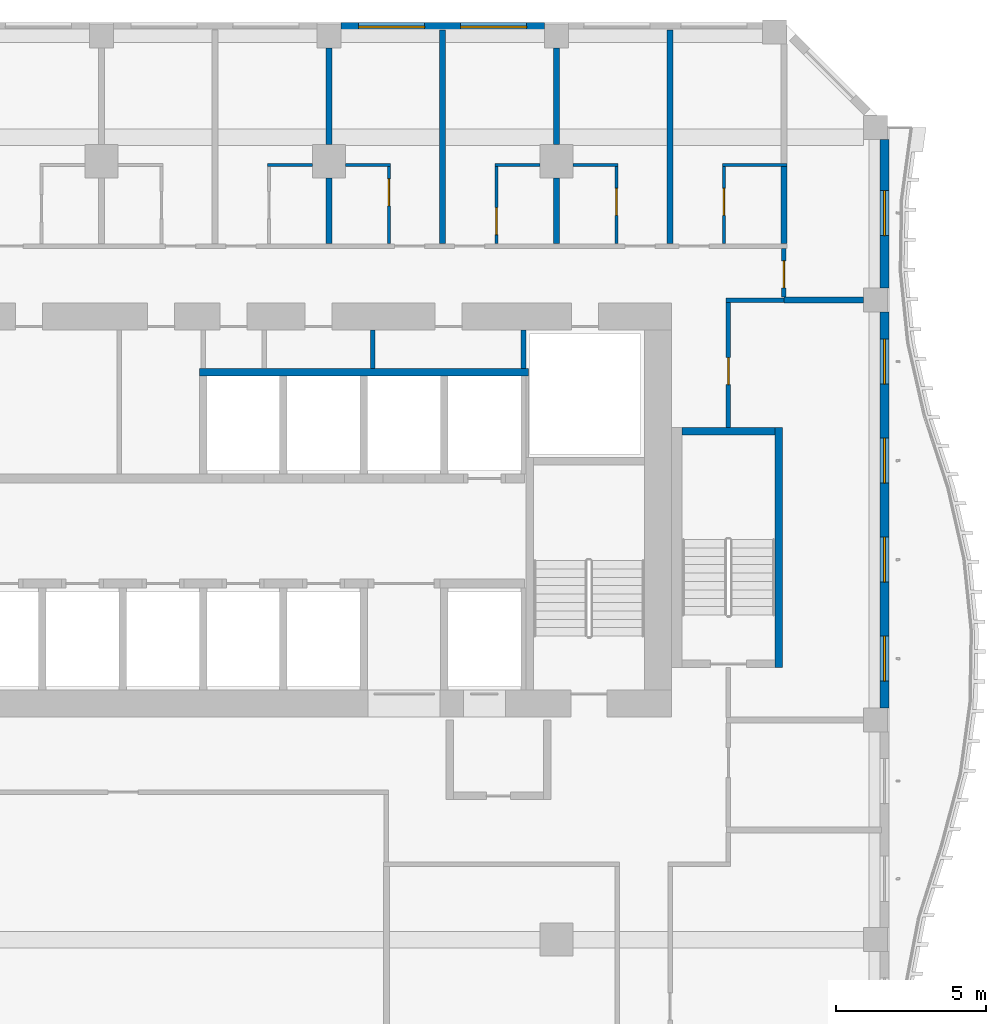
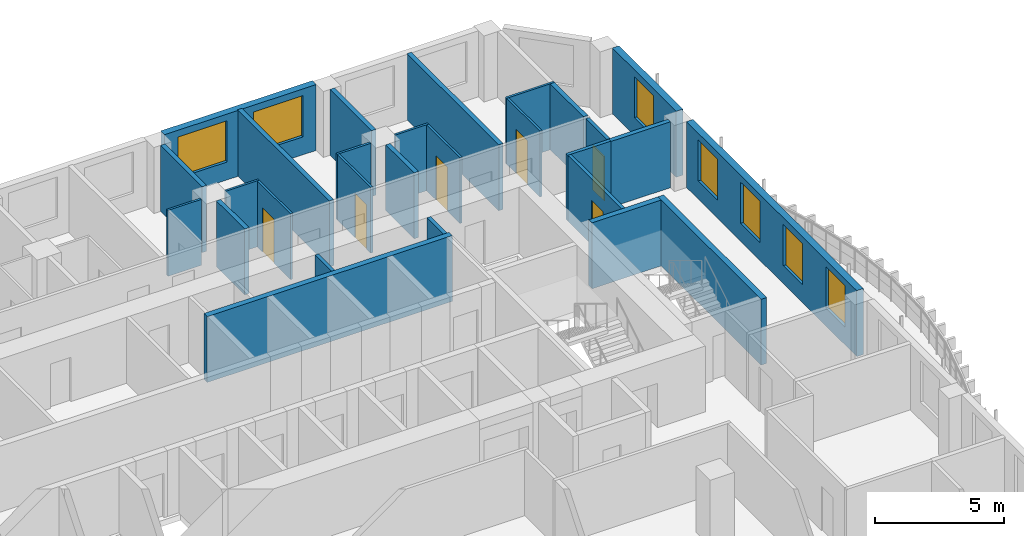
# One storey, part 10 of 23: 28 walls, 7 windows, 6 doors, 13 openings.
"""IFC4 building model written with IfcOpenShell, lengths in metres."""

from ifc_helpers import new_model, si_unit, direction, frame, frame_2d, origin, place, context, subcontext, project, spatial, rectangle, extrude, source, transform, mapped, material, layer, layer_set, type_object, element, fill, save


model = new_model("IFC4")

# Units and contexts
model_context = context("Model", 3, precision=1e-05, world=origin(), true_north=direction((0.0, 1.0)))
body_context = subcontext(model_context, "Body", "Model", "MODEL_VIEW")
ifc_project = project(units=[si_unit("LENGTHUNIT", "METRE"), si_unit("AREAUNIT", "SQUARE_METRE"), si_unit("VOLUMEUNIT", "CUBIC_METRE"), si_unit("PLANEANGLEUNIT", "RADIAN"), si_unit("MASSUNIT", "GRAM", prefix="KILO")], contexts=[model_context])

# Site, building, storey
site_placement = place(None, origin())
site = spatial("IfcSite", under=ifc_project, at=site_placement, CompositionType="ELEMENT")
building_placement = place(site_placement, origin())
building = spatial("IfcBuilding", under=site, at=building_placement, Name="Kilnfold Tower and Market Hall", CompositionType="ELEMENT")
storey_placement = place(building_placement, frame((0.0, 0.0, 150.699951171875)))
storey = spatial("IfcBuildingStorey", under=building, at=storey_placement, Name="L34", CompositionType="ELEMENT", Elevation=150.699951171875)

# Wall, opening, door
ifc_material_1 = material(Name="Gypsum board on steel studs", Category="steel")
ifc_layer_1 = layer(ifc_material_1, 0.14990234375)
ifc_layer_set_1 = layer_set([ifc_layer_1], Name="Gypsum board on steel studs")
wall_type_1 = type_object("IfcWallType", Name="WALL CORRIDOR 150", PredefinedType="PARTITIONING", material=ifc_layer_set_1)
wall_1_placement = place(storey_placement, frame((21.75, 22.10009765625, 0.0), z_axis=(0.0, 0.0, 1.0), x_axis=(0.0, 1.0, 0.0)))
wall_1 = element("IfcWall", 1, at=wall_1_placement, inside=storey, type_object=wall_type_1, Name="Partition LY22.26", PredefinedType="PARTITIONING", context=body_context, shape_type="SweptSolid", body=[
    extrude(rectangle(XDim=1.625, YDim=0.14990234375, at=frame_2d((0.8125, 0.0))), origin(), (0.0, 0.0, 1.0), 3.1201171875),
])
opening_1_placement = place(wall_1_placement, frame((0.30810546875, 0.0, 0.0)))
opening_1 = element("IfcOpeningElement", 2, at=opening_1_placement, cuts=wall_1, Name="Opening D2", PredefinedType="OPENING", context=body_context, shape_type="SweptSolid", body=[
    extrude(rectangle(XDim=0.89990234375, YDim=2.10009765625, at=frame_2d((0.449951171875, 1.050048828125))), frame((0.0, 0.0849609375, 0.0), z_axis=(0.0, -1.0, 0.0), x_axis=(1.0, 0.0, 0.0)), (0.0, 0.0, 1.0), 0.169921875),
])
ifc_material_2 = material(Name="Timber veneer door leaf in steel frame", Category="steel")
door_type_1 = type_object("IfcDoorType", Name="DOOR ROOM 900 X2100", OperationType="NOTDEFINED", PredefinedType="DOOR", material=ifc_material_2)
door_1_placement = place(opening_1_placement, origin())
door_1 = element("IfcDoor", 3, at=door_1_placement, inside=storey, type_object=door_type_1, Name="Door D2", OperationType="SINGLE_SWING_RIGHT", OverallHeight=2.10009765625, OverallWidth=0.89990234375, PredefinedType="DOOR", context=body_context, shape_type="SweptSolid", body=[
    extrude(rectangle(XDim=0.89990234375, YDim=2.10009765625, at=frame_2d((0.449951171875, 1.050048828125))), frame((0.0, 0.02490234375, 0.0), z_axis=(0.0, -1.0, 0.0), x_axis=(1.0, 0.0, 0.0)), (0.0, 0.0, 1.0), 0.050048828125),
])
fill(opening_1, door_1)

# Wall
wall_2_placement = place(storey_placement, frame((19.824951171875, 22.0, 0.0), z_axis=(0.0, 0.0, 1.0), x_axis=(1.0, 0.0, 0.0)))
element("IfcWall", 4, at=wall_2_placement, inside=storey, type_object=wall_type_1, Name="Partition LY22.28", PredefinedType="PARTITIONING", context=body_context, shape_type="SweptSolid", body=[
    extrude(rectangle(XDim=1.925048828125, YDim=0.14990234375, at=frame_2d((0.96240234375, 0.0))), origin(), (0.0, 0.0, 1.0), 3.1201171875),
])

# Wall, opening, door
wall_3_placement = place(storey_placement, frame((19.89990234375, 17.75, 0.0), z_axis=(0.0, 0.0, 1.0), x_axis=(0.0, 1.0, 0.0)))
wall_3 = element("IfcWall", 5, at=wall_3_placement, inside=storey, type_object=wall_type_1, Name="Partition LY22.29", PredefinedType="PARTITIONING", context=body_context, shape_type="SweptSolid", body=[
    extrude(rectangle(XDim=4.175048828125, YDim=0.14990234375, at=frame_2d((2.08740234375, 0.0))), origin(), (0.0, 0.0, 1.0), 3.1201171875),
])
opening_2_placement = place(wall_3_placement, frame((1.431884765625, 0.0, 0.0)))
opening_2 = element("IfcOpeningElement", 6, at=opening_2_placement, cuts=wall_3, Name="Opening D2", PredefinedType="OPENING", context=body_context, shape_type="SweptSolid", body=[
    extrude(rectangle(XDim=0.89990234375, YDim=2.10009765625, at=frame_2d((0.449951171875, 1.050048828125))), frame((0.0, 0.0849609375, 0.0), z_axis=(0.0, -1.0, 0.0), x_axis=(1.0, 0.0, 0.0)), (0.0, 0.0, 1.0), 0.169921875),
])
door_2_placement = place(opening_2_placement, origin())
door_2 = element("IfcDoor", 7, at=door_2_placement, inside=storey, type_object=door_type_1, Name="Door D2", OperationType="SINGLE_SWING_LEFT", OverallHeight=2.10009765625, OverallWidth=0.89990234375, PredefinedType="DOOR", context=body_context, shape_type="SweptSolid", body=[
    extrude(rectangle(XDim=0.89990234375, YDim=2.10009765625, at=frame_2d((0.449951171875, 1.050048828125))), frame((0.0, 0.02490234375, 0.0), z_axis=(0.0, -1.0, 0.0), x_axis=(1.0, 0.0, 0.0)), (0.0, 0.0, 1.0), 0.050048828125),
])
fill(opening_2, door_2)

# Walls
ifc_material_3 = material(Name="Gypsum board on steel studs", Category="steel")
ifc_layer_2 = layer(ifc_material_3, 0.10009765625)
ifc_layer_set_2 = layer_set([ifc_layer_2], Name="Gypsum board on steel studs")
wall_type_2 = type_object("IfcWallType", Name="WALL PARTITION 100", PredefinedType="PARTITIONING", material=ifc_layer_set_2)
for number, where, z_axis, x_axis, name in (
    (8, (4.532958984375, 26.501953125, 0.0), (0.0, 0.0, 1.0), (1.0, 0.0, 0.0), "Partition LY22.107"),
    (9, (7.133056640625, 26.501953125, 0.0), (0.0, 0.0, 1.0), (1.0, 0.0, 0.0), "Partition LY22.111"),
):
    element("IfcWall", number, at=place(storey_placement, frame(where, z_axis=z_axis, x_axis=x_axis)), inside=storey, type_object=wall_type_2, Name=name, PredefinedType="PARTITIONING", context=body_context, shape_type="SweptSolid", body=[
        extrude(rectangle(XDim=1.5, YDim=0.10009765625, at=frame_2d((0.75, 0.0))), origin(), (0.0, 0.0, 1.0), 3.1201171875),
    ])

# Wall, opening, door
wall_4_placement = place(storey_placement, frame((8.5830078125, 26.451904296875, 0.0), z_axis=(0.0, 0.0, 1.0), x_axis=(0.0, -1.0, 0.0)))
wall_4 = element("IfcWall", 10, at=wall_4_placement, inside=storey, type_object=wall_type_2, Name="Partition LY22.112", PredefinedType="PARTITIONING", context=body_context, shape_type="SweptSolid", body=[
    extrude(rectangle(XDim=2.574951171875, YDim=0.10009765625, at=frame_2d((1.28759765625, 0.0))), origin(), (0.0, 0.0, 1.0), 3.1201171875),
])
opening_3_placement = place(wall_4_placement, frame((0.4130859375, 0.0, 0.0)))
opening_3 = element("IfcOpeningElement", 11, at=opening_3_placement, cuts=wall_4, Name="Opening D3", PredefinedType="OPENING", context=body_context, shape_type="SweptSolid", body=[
    extrude(rectangle(XDim=0.89990234375, YDim=2.10009765625, at=frame_2d((0.449951171875, 1.050048828125))), frame((0.0, 0.06005859375, 0.0), z_axis=(0.0, -1.0, 0.0), x_axis=(1.0, 0.0, 0.0)), (0.0, 0.0, 1.0), 0.1201171875),
])
ifc_material_4 = material(Name="Timber veneer door leaf in steel frame", Category="steel")
door_type_2 = type_object("IfcDoorType", Name="DOOR WC 900 X2100", OperationType="NOTDEFINED", PredefinedType="DOOR", material=ifc_material_4)
door_3_placement = place(opening_3_placement, origin())
door_3 = element("IfcDoor", 12, at=door_3_placement, inside=storey, type_object=door_type_2, Name="Door D3", OperationType="SINGLE_SWING_LEFT", OverallHeight=2.10009765625, OverallWidth=0.89990234375, PredefinedType="DOOR", context=body_context, shape_type="SweptSolid", body=[
    extrude(rectangle(XDim=0.89990234375, YDim=2.10009765625, at=frame_2d((0.449951171875, 1.050048828125))), frame((0.0, 0.02490234375, 0.0), z_axis=(0.0, -1.0, 0.0), x_axis=(1.0, 0.0, 0.0)), (0.0, 0.0, 1.0), 0.050048828125),
])
fill(opening_3, door_3)

# Wall
wall_5_placement = place(storey_placement, frame((12.116943359375, 26.501953125, 0.0), z_axis=(0.0, 0.0, 1.0), x_axis=(1.0, 0.0, 0.0)))
element("IfcWall", 13, at=wall_5_placement, inside=storey, type_object=wall_type_2, Name="Partition LY22.114", PredefinedType="PARTITIONING", context=body_context, shape_type="SweptSolid", body=[
    extrude(rectangle(XDim=1.5, YDim=0.10009765625, at=frame_2d((0.75, 0.0))), origin(), (0.0, 0.0, 1.0), 3.1201171875),
])

# Wall, opening, door
wall_6_placement = place(storey_placement, frame((12.1669921875, 23.876953125, 0.0), z_axis=(0.0, 0.0, 1.0), x_axis=(0.0, 1.0, 0.0)))
wall_6 = element("IfcWall", 14, at=wall_6_placement, inside=storey, type_object=wall_type_2, Name="Partition LY22.115", PredefinedType="PARTITIONING", context=body_context, shape_type="SweptSolid", body=[
    extrude(rectangle(XDim=2.574951171875, YDim=0.10009765625, at=frame_2d((1.28759765625, 0.0))), origin(), (0.0, 0.0, 1.0), 3.1201171875),
])
opening_4_placement = place(wall_6_placement, frame((0.305908203125, 0.0, 0.0)))
opening_4 = element("IfcOpeningElement", 15, at=opening_4_placement, cuts=wall_6, Name="Opening D3", PredefinedType="OPENING", context=body_context, shape_type="SweptSolid", body=[
    extrude(rectangle(XDim=0.89990234375, YDim=2.10009765625, at=frame_2d((0.449951171875, 1.050048828125))), frame((0.0, 0.06005859375, 0.0), z_axis=(0.0, -1.0, 0.0), x_axis=(1.0, 0.0, 0.0)), (0.0, 0.0, 1.0), 0.1201171875),
])
door_4_placement = place(opening_4_placement, origin())
door_4 = element("IfcDoor", 16, at=door_4_placement, inside=storey, type_object=door_type_2, Name="Door D3", OperationType="SINGLE_SWING_RIGHT", OverallHeight=2.10009765625, OverallWidth=0.89990234375, PredefinedType="DOOR", context=body_context, shape_type="SweptSolid", body=[
    extrude(rectangle(XDim=0.89990234375, YDim=2.10009765625, at=frame_2d((0.449951171875, 1.050048828125))), frame((0.0, 0.02490234375, 0.0), z_axis=(0.0, -1.0, 0.0), x_axis=(1.0, 0.0, 0.0)), (0.0, 0.0, 1.0), 0.050048828125),
])
fill(opening_4, door_4)

# Wall
wall_7_placement = place(storey_placement, frame((14.717041015625, 26.501953125, 0.0), z_axis=(0.0, 0.0, 1.0), x_axis=(1.0, 0.0, 0.0)))
element("IfcWall", 17, at=wall_7_placement, inside=storey, type_object=wall_type_2, Name="Partition LY22.118", PredefinedType="PARTITIONING", context=body_context, shape_type="SweptSolid", body=[
    extrude(rectangle(XDim=1.5, YDim=0.10009765625, at=frame_2d((0.75, 0.0))), origin(), (0.0, 0.0, 1.0), 3.1201171875),
])

# Wall, opening, door
wall_8_placement = place(storey_placement, frame((16.1669921875, 26.451904296875, 0.0), z_axis=(0.0, 0.0, 1.0), x_axis=(0.0, -1.0, 0.0)))
wall_8 = element("IfcWall", 18, at=wall_8_placement, inside=storey, type_object=wall_type_2, Name="Partition LY22.119", PredefinedType="PARTITIONING", context=body_context, shape_type="SweptSolid", body=[
    extrude(rectangle(XDim=2.574951171875, YDim=0.10009765625, at=frame_2d((1.28759765625, 0.0))), origin(), (0.0, 0.0, 1.0), 3.1201171875),
])
opening_5_placement = place(wall_8_placement, frame((0.73095703125, 0.0, 0.0)))
opening_5 = element("IfcOpeningElement", 19, at=opening_5_placement, cuts=wall_8, Name="Opening D3", PredefinedType="OPENING", context=body_context, shape_type="SweptSolid", body=[
    extrude(rectangle(XDim=0.89990234375, YDim=2.10009765625, at=frame_2d((0.449951171875, 1.050048828125))), frame((0.0, 0.06005859375, 0.0), z_axis=(0.0, -1.0, 0.0), x_axis=(1.0, 0.0, 0.0)), (0.0, 0.0, 1.0), 0.1201171875),
])
door_5_placement = place(opening_5_placement, origin())
door_5 = element("IfcDoor", 20, at=door_5_placement, inside=storey, type_object=door_type_2, Name="Door D3", OperationType="SINGLE_SWING_RIGHT", OverallHeight=2.10009765625, OverallWidth=0.89990234375, PredefinedType="DOOR", context=body_context, shape_type="SweptSolid", body=[
    extrude(rectangle(XDim=0.89990234375, YDim=2.10009765625, at=frame_2d((0.449951171875, 1.050048828125))), frame((0.0, 0.02490234375, 0.0), z_axis=(0.0, -1.0, 0.0), x_axis=(1.0, 0.0, 0.0)), (0.0, 0.0, 1.0), 0.050048828125),
])
fill(opening_5, door_5)

# Wall
wall_9_placement = place(storey_placement, frame((19.699951171875, 26.501953125, 0.0), z_axis=(0.0, 0.0, 1.0), x_axis=(1.0, 0.0, 0.0)))
element("IfcWall", 21, at=wall_9_placement, inside=storey, type_object=wall_type_2, Name="Partition LY22.121", PredefinedType="PARTITIONING", context=body_context, shape_type="SweptSolid", body=[
    extrude(rectangle(XDim=2.150146484375, YDim=0.10009765625, at=frame_2d((1.0751953125, 0.0))), origin(), (0.0, 0.0, 1.0), 3.1201171875),
])

# Wall, opening, door
wall_10_placement = place(storey_placement, frame((19.75, 23.876953125, 0.0), z_axis=(0.0, 0.0, 1.0), x_axis=(0.0, 1.0, 0.0)))
wall_10 = element("IfcWall", 22, at=wall_10_placement, inside=storey, type_object=wall_type_2, Name="Partition LY22.122", PredefinedType="PARTITIONING", context=body_context, shape_type="SweptSolid", body=[
    extrude(rectangle(XDim=2.574951171875, YDim=0.10009765625, at=frame_2d((1.28759765625, 0.0))), origin(), (0.0, 0.0, 1.0), 3.1201171875),
])
opening_6_placement = place(wall_10_placement, frame((0.944091796875, 0.0, 0.0)))
opening_6 = element("IfcOpeningElement", 23, at=opening_6_placement, cuts=wall_10, Name="Opening D3", PredefinedType="OPENING", context=body_context, shape_type="SweptSolid", body=[
    extrude(rectangle(XDim=0.89990234375, YDim=2.10009765625, at=frame_2d((0.449951171875, 1.050048828125))), frame((0.0, 0.06005859375, 0.0), z_axis=(0.0, -1.0, 0.0), x_axis=(1.0, 0.0, 0.0)), (0.0, 0.0, 1.0), 0.1201171875),
])
door_6_placement = place(opening_6_placement, origin())
door_6 = element("IfcDoor", 24, at=door_6_placement, inside=storey, type_object=door_type_2, Name="Door D3", OperationType="SINGLE_SWING_RIGHT", OverallHeight=2.10009765625, OverallWidth=0.89990234375, PredefinedType="DOOR", context=body_context, shape_type="SweptSolid", body=[
    extrude(rectangle(XDim=0.89990234375, YDim=2.10009765625, at=frame_2d((0.449951171875, 1.050048828125))), frame((0.0, 0.02490234375, 0.0), z_axis=(0.0, -1.0, 0.0), x_axis=(1.0, 0.0, 0.0)), (0.0, 0.0, 1.0), 0.050048828125),
])
fill(opening_6, door_6)

# Walls
ifc_material_5 = material(Name="Gypsum board on steel studs", Category="steel")
ifc_layer_3 = layer(ifc_material_5, 0.199951171875)
ifc_layer_set_3 = layer_set([ifc_layer_3], Name="Gypsum board on steel studs")
wall_type_3 = type_object("IfcWallType", Name="WALL PARTY 200", PredefinedType="PARTITIONING", material=ifc_layer_set_3)
wall_11_placement = place(storey_placement, frame((6.5830078125, 27.175048828125, 0.0), z_axis=(0.0, 0.0, 1.0), x_axis=(0.0, 1.0, 0.0)))
element("IfcWall", 25, at=wall_11_placement, inside=storey, type_object=wall_type_3, Name="Partition LY22.109", PredefinedType="PARTITIONING", context=body_context, shape_type="SweptSolid", body=[
    extrude(rectangle(XDim=3.224853515625, YDim=0.199951171875, at=frame_2d((1.6123046875, 0.0))), origin(), (0.0, 0.0, 1.0), 3.1201171875),
])
wall_12_placement = place(storey_placement, frame((6.5830078125, 23.876953125, 0.0), z_axis=(0.0, 0.0, 1.0), x_axis=(0.0, 1.0, 0.0)))
element("IfcWall", 26, at=wall_12_placement, inside=storey, type_object=wall_type_3, Name="Partition LY22.110", PredefinedType="PARTITIONING", context=body_context, shape_type="SweptSolid", body=[
    extrude(rectangle(XDim=2.197998046875, YDim=0.199951171875, at=frame_2d((1.09912109375, 0.0))), origin(), (0.0, 0.0, 1.0), 3.1201171875),
])
wall_13_placement = place(storey_placement, frame((10.375, 23.876953125, 0.0), z_axis=(0.0, 0.0, 1.0), x_axis=(0.0, 1.0, 0.0)))
element("IfcWall", 27, at=wall_13_placement, inside=storey, type_object=wall_type_3, Name="Partition LY22.113", PredefinedType="PARTITIONING", context=body_context, shape_type="SweptSolid", body=[
    extrude(rectangle(XDim=7.123046875, YDim=0.199951171875, at=frame_2d((3.5615234375, 0.0))), origin(), (0.0, 0.0, 1.0), 3.1201171875),
])
wall_14_placement = place(storey_placement, frame((14.1669921875, 27.175048828125, 0.0), z_axis=(0.0, 0.0, 1.0), x_axis=(0.0, 1.0, 0.0)))
element("IfcWall", 28, at=wall_14_placement, inside=storey, type_object=wall_type_3, Name="Partition LY22.116", PredefinedType="PARTITIONING", context=body_context, shape_type="SweptSolid", body=[
    extrude(rectangle(XDim=3.224853515625, YDim=0.199951171875, at=frame_2d((1.6123046875, 0.0))), origin(), (0.0, 0.0, 1.0), 3.1201171875),
])
wall_15_placement = place(storey_placement, frame((14.1669921875, 23.876953125, 0.0), z_axis=(0.0, 0.0, 1.0), x_axis=(0.0, 1.0, 0.0)))
element("IfcWall", 29, at=wall_15_placement, inside=storey, type_object=wall_type_3, Name="Partition LY22.117", PredefinedType="PARTITIONING", context=body_context, shape_type="SweptSolid", body=[
    extrude(rectangle(XDim=2.197998046875, YDim=0.199951171875, at=frame_2d((1.09912109375, 0.0))), origin(), (0.0, 0.0, 1.0), 3.1201171875),
])
wall_16_placement = place(storey_placement, frame((17.958984375, 23.876953125, 0.0), z_axis=(0.0, 0.0, 1.0), x_axis=(0.0, 1.0, 0.0)))
element("IfcWall", 30, at=wall_16_placement, inside=storey, type_object=wall_type_3, Name="Partition LY22.120", PredefinedType="PARTITIONING", context=body_context, shape_type="SweptSolid", body=[
    extrude(rectangle(XDim=7.123046875, YDim=0.199951171875, at=frame_2d((3.5615234375, 0.0))), origin(), (0.0, 0.0, 1.0), 3.1201171875),
])
wall_17_placement = place(storey_placement, frame((21.75, 23.876953125, 0.0), z_axis=(0.0, 0.0, 1.0), x_axis=(0.0, 1.0, 0.0)))
element("IfcWall", 31, at=wall_17_placement, inside=storey, type_object=wall_type_3, Name="Partition LY22.124", PredefinedType="PARTITIONING", context=body_context, shape_type="SweptSolid", body=[
    extrude(rectangle(XDim=2.574951171875, YDim=0.199951171875, at=frame_2d((1.28759765625, 0.0))), origin(), (0.0, 0.0, 1.0), 3.1201171875),
])
wall_18_placement = place(storey_placement, frame((21.751953125, 22.0, 0.0), z_axis=(0.0, 0.0, 1.0), x_axis=(1.0, 0.0, 0.0)))
element("IfcWall", 32, at=wall_18_placement, inside=storey, type_object=wall_type_3, Name="Partition LY22.125", PredefinedType="PARTITIONING", context=body_context, shape_type="SweptSolid", body=[
    extrude(rectangle(XDim=2.64794921875, YDim=0.199951171875, at=frame_2d((1.323974609375, 0.0))), origin(), (0.0, 0.0, 1.0), 3.1201171875),
])
ifc_material_6 = material(Name="Concrete C70", Category="concrete")
ifc_layer_4 = layer(ifc_material_6, 0.25)
ifc_layer_set_4 = layer_set([ifc_layer_4], Name="Concrete C70")
wall_type_4 = type_object("IfcWallType", Name="CORE WALL 250 C70", PredefinedType="SHEAR", material=ifc_layer_set_4)
shared_shape_1 = source(origin(), body_context, "Body", "SweptSolid", [
    extrude(rectangle(XDim=8.0, YDim=0.25, at=frame_2d((4.0, 0.0))), origin(), (0.0, 0.0, 1.0), 3.1201171875),
])
wall_19_placement = place(storey_placement, frame((21.574951171875, 9.75, 0.0), z_axis=(0.0, 0.0, 1.0), x_axis=(0.0, 1.0, 0.0)))
element("IfcWall", 33, at=wall_19_placement, inside=storey, type_object=wall_type_4, Name="Stair enclosure ST5", PredefinedType="SHEAR", context=body_context, shape_type="MappedRepresentation", body=[
    mapped(shared_shape_1, transform((0.0, 0.0, 0.0))),
])
shared_shape_2 = source(origin(), body_context, "Body", "SweptSolid", [
    extrude(rectangle(XDim=3.099853515625, YDim=0.25, at=frame_2d((1.5498046875, 0.0))), origin(), (0.0, 0.0, 1.0), 3.1201171875),
])
wall_20_placement = place(storey_placement, frame((18.35009765625, 17.625, 0.0), z_axis=(0.0, 0.0, 1.0), x_axis=(1.0, 0.0, 0.0)))
element("IfcWall", 34, at=wall_20_placement, inside=storey, type_object=wall_type_4, Name="Stair enclosure ST5", PredefinedType="SHEAR", context=body_context, shape_type="MappedRepresentation", body=[
    mapped(shared_shape_2, transform((0.0, 0.0, 0.0))),
])

# Wall, openings, windows
ifc_material_7 = material(Name="Precast concrete C50/60", Category="concrete")
ifc_layer_5 = layer(ifc_material_7, 0.300048828125)
ifc_layer_set_5 = layer_set([ifc_layer_5], Name="Precast concrete C50/60")
wall_type_5 = type_object("IfcWallType", Name="PRECAST WALL 300", PredefinedType="SOLIDWALL", material=ifc_layer_set_5)
shared_shape_3 = source(origin(), body_context, "Body", "SweptSolid", [
    extrude(rectangle(XDim=6.783203125, YDim=0.300048828125, at=frame_2d((3.3916015625, 0.0))), origin(), (0.0, 0.0, 1.0), 3.1201171875),
])
wall_21_placement = place(storey_placement, frame((13.7666015625, 31.10009765625, 0.0), z_axis=(0.0, 0.0, 1.0), x_axis=(-1.0, 0.0, 0.0)))
wall_21 = element("IfcWall", 35, at=wall_21_placement, inside=storey, type_object=wall_type_5, Name="External wall L34 N", PredefinedType="SOLIDWALL", context=body_context, shape_type="MappedRepresentation", body=[
    mapped(shared_shape_3, transform((0.0, 0.0, 0.0))),
])
opening_7_placement = place(wall_21_placement, frame((0.595703125, 0.0, 0.85009765625)))
opening_7 = element("IfcOpeningElement", 36, at=opening_7_placement, cuts=wall_21, Name="Opening W2", PredefinedType="OPENING", context=body_context, shape_type="SweptSolid", body=[
    extrude(rectangle(XDim=2.199951171875, YDim=1.949951171875, at=frame_2d((1.10009765625, 0.97509765625))), frame((0.0, 0.16015625, 0.0), z_axis=(0.0, -1.0, 0.0), x_axis=(1.0, 0.0, 0.0)), (0.0, 0.0, 1.0), 0.320068359375),
])
opening_8_placement = place(wall_21_placement, frame((3.987548828125, 0.0, 0.85009765625)))
opening_8 = element("IfcOpeningElement", 37, at=opening_8_placement, cuts=wall_21, Name="Opening W2", PredefinedType="OPENING", context=body_context, shape_type="SweptSolid", body=[
    extrude(rectangle(XDim=2.199951171875, YDim=1.949951171875, at=frame_2d((1.10009765625, 0.97509765625))), frame((0.0, 0.16015625, 0.0), z_axis=(0.0, -1.0, 0.0), x_axis=(1.0, 0.0, 0.0)), (0.0, 0.0, 1.0), 0.320068359375),
])
ifc_material_8 = material(Name="Aluminium frame and double glazing", Category="aluminium")
window_type_1 = type_object("IfcWindowType", Name="WINDOW W2 2200X1950", PartitioningType="SINGLE_PANEL", PredefinedType="WINDOW", material=ifc_material_8)
window_1_placement = place(opening_7_placement, origin())
window_1 = element("IfcWindow", 38, at=window_1_placement, inside=storey, type_object=window_type_1, Name="Window W2 L34 N-1", OverallHeight=1.949951171875, OverallWidth=2.199951171875, PartitioningType="SINGLE_PANEL", PredefinedType="WINDOW", context=body_context, shape_type="SweptSolid", body=[
    extrude(rectangle(XDim=2.199951171875, YDim=1.949951171875, at=frame_2d((1.10009765625, 0.97509765625))), frame((0.0, 0.030029296875, 0.0), z_axis=(0.0, -1.0, 0.0), x_axis=(1.0, 0.0, 0.0)), (0.0, 0.0, 1.0), 0.06005859375),
])
fill(opening_7, window_1)
window_2_placement = place(opening_8_placement, origin())
window_2 = element("IfcWindow", 39, at=window_2_placement, inside=storey, type_object=window_type_1, Name="Window W2 L34 N-2", OverallHeight=1.949951171875, OverallWidth=2.199951171875, PartitioningType="SINGLE_PANEL", PredefinedType="WINDOW", context=body_context, shape_type="SweptSolid", body=[
    extrude(rectangle(XDim=2.199951171875, YDim=1.949951171875, at=frame_2d((1.10009765625, 0.97509765625))), frame((0.0, 0.030029296875, 0.0), z_axis=(0.0, -1.0, 0.0), x_axis=(1.0, 0.0, 0.0)), (0.0, 0.0, 1.0), 0.06005859375),
])
fill(opening_8, window_2)

shared_shape_4 = source(origin(), body_context, "Body", "SweptSolid", [
    extrude(rectangle(XDim=13.2001953125, YDim=0.300048828125, at=frame_2d((6.60009765625, 0.0))), origin(), (0.0, 0.0, 1.0), 3.1201171875),
])
wall_22_placement = place(storey_placement, frame((25.10009765625, 8.39990234375, 0.0), z_axis=(0.0, 0.0, 1.0), x_axis=(0.0, 1.0, 0.0)))
wall_22 = element("IfcWall", 40, at=wall_22_placement, inside=storey, type_object=wall_type_5, Name="External wall L34 E", PredefinedType="SOLIDWALL", context=body_context, shape_type="MappedRepresentation", body=[
    mapped(shared_shape_4, transform((0.0, 0.0, 0.0))),
])
opening_9_placement = place(wall_22_placement, frame((0.89990234375, 0.0, 0.85009765625)))
opening_9 = element("IfcOpeningElement", 41, at=opening_9_placement, cuts=wall_22, Name="Opening W4", PredefinedType="OPENING", context=body_context, shape_type="SweptSolid", body=[
    extrude(rectangle(XDim=1.5, YDim=1.949951171875, at=frame_2d((0.75, 0.97509765625))), frame((0.0, 0.16015625, 0.0), z_axis=(0.0, -1.0, 0.0), x_axis=(1.0, 0.0, 0.0)), (0.0, 0.0, 1.0), 0.320068359375),
])
opening_10_placement = place(wall_22_placement, frame((4.199951171875, 0.0, 0.85009765625)))
opening_10 = element("IfcOpeningElement", 42, at=opening_10_placement, cuts=wall_22, Name="Opening W4", PredefinedType="OPENING", context=body_context, shape_type="SweptSolid", body=[
    extrude(rectangle(XDim=1.5, YDim=1.949951171875, at=frame_2d((0.75, 0.97509765625))), frame((0.0, 0.16015625, 0.0), z_axis=(0.0, -1.0, 0.0), x_axis=(1.0, 0.0, 0.0)), (0.0, 0.0, 1.0), 0.320068359375),
])
opening_11_placement = place(wall_22_placement, frame((7.5, 0.0, 0.85009765625)))
opening_11 = element("IfcOpeningElement", 43, at=opening_11_placement, cuts=wall_22, Name="Opening W4", PredefinedType="OPENING", context=body_context, shape_type="SweptSolid", body=[
    extrude(rectangle(XDim=1.5, YDim=1.949951171875, at=frame_2d((0.75, 0.97509765625))), frame((0.0, 0.16015625, 0.0), z_axis=(0.0, -1.0, 0.0), x_axis=(1.0, 0.0, 0.0)), (0.0, 0.0, 1.0), 0.320068359375),
])
opening_12_placement = place(wall_22_placement, frame((10.800048828125, 0.0, 0.85009765625)))
opening_12 = element("IfcOpeningElement", 44, at=opening_12_placement, cuts=wall_22, Name="Opening W4", PredefinedType="OPENING", context=body_context, shape_type="SweptSolid", body=[
    extrude(rectangle(XDim=1.5, YDim=1.949951171875, at=frame_2d((0.75, 0.97509765625))), frame((0.0, 0.16015625, 0.0), z_axis=(0.0, -1.0, 0.0), x_axis=(1.0, 0.0, 0.0)), (0.0, 0.0, 1.0), 0.320068359375),
])
ifc_material_9 = material(Name="Aluminium frame and double glazing", Category="aluminium")
window_type_2 = type_object("IfcWindowType", Name="WINDOW W4 1500X1950", PartitioningType="SINGLE_PANEL", PredefinedType="WINDOW", material=ifc_material_9)
window_3_placement = place(opening_9_placement, origin())
window_3 = element("IfcWindow", 45, at=window_3_placement, inside=storey, type_object=window_type_2, Name="Window W4 L34 E-1", OverallHeight=1.949951171875, OverallWidth=1.5, PartitioningType="SINGLE_PANEL", PredefinedType="WINDOW", context=body_context, shape_type="SweptSolid", body=[
    extrude(rectangle(XDim=1.5, YDim=1.949951171875, at=frame_2d((0.75, 0.97509765625))), frame((0.0, 0.030029296875, 0.0), z_axis=(0.0, -1.0, 0.0), x_axis=(1.0, 0.0, 0.0)), (0.0, 0.0, 1.0), 0.06005859375),
])
fill(opening_9, window_3)
window_4_placement = place(opening_10_placement, origin())
window_4 = element("IfcWindow", 46, at=window_4_placement, inside=storey, type_object=window_type_2, Name="Window W4 L34 E-2", OverallHeight=1.949951171875, OverallWidth=1.5, PartitioningType="SINGLE_PANEL", PredefinedType="WINDOW", context=body_context, shape_type="SweptSolid", body=[
    extrude(rectangle(XDim=1.5, YDim=1.949951171875, at=frame_2d((0.75, 0.97509765625))), frame((0.0, 0.030029296875, 0.0), z_axis=(0.0, -1.0, 0.0), x_axis=(1.0, 0.0, 0.0)), (0.0, 0.0, 1.0), 0.06005859375),
])
fill(opening_10, window_4)
window_5_placement = place(opening_11_placement, origin())
window_5 = element("IfcWindow", 47, at=window_5_placement, inside=storey, type_object=window_type_2, Name="Window W4 L34 E-3", OverallHeight=1.949951171875, OverallWidth=1.5, PartitioningType="SINGLE_PANEL", PredefinedType="WINDOW", context=body_context, shape_type="SweptSolid", body=[
    extrude(rectangle(XDim=1.5, YDim=1.949951171875, at=frame_2d((0.75, 0.97509765625))), frame((0.0, 0.030029296875, 0.0), z_axis=(0.0, -1.0, 0.0), x_axis=(1.0, 0.0, 0.0)), (0.0, 0.0, 1.0), 0.06005859375),
])
fill(opening_11, window_5)
window_6_placement = place(opening_12_placement, origin())
window_6 = element("IfcWindow", 48, at=window_6_placement, inside=storey, type_object=window_type_2, Name="Window W4 L34 E-4", OverallHeight=1.949951171875, OverallWidth=1.5, PartitioningType="SINGLE_PANEL", PredefinedType="WINDOW", context=body_context, shape_type="SweptSolid", body=[
    extrude(rectangle(XDim=1.5, YDim=1.949951171875, at=frame_2d((0.75, 0.97509765625))), frame((0.0, 0.030029296875, 0.0), z_axis=(0.0, -1.0, 0.0), x_axis=(1.0, 0.0, 0.0)), (0.0, 0.0, 1.0), 0.06005859375),
])
fill(opening_12, window_6)

# Wall, opening, window
shared_shape_5 = source(origin(), body_context, "Body", "SweptSolid", [
    extrude(rectangle(XDim=4.9501953125, YDim=0.300048828125, at=frame_2d((2.47509765625, 0.0))), origin(), (0.0, 0.0, 1.0), 3.1201171875),
])
wall_23_placement = place(storey_placement, frame((25.10009765625, 22.39990234375, 0.0), z_axis=(0.0, 0.0, 1.0), x_axis=(0.0, 1.0, 0.0)))
wall_23 = element("IfcWall", 49, at=wall_23_placement, inside=storey, type_object=wall_type_5, Name="External wall L34 E", PredefinedType="SOLIDWALL", context=body_context, shape_type="MappedRepresentation", body=[
    mapped(shared_shape_5, transform((0.0, 0.0, 0.0))),
])
opening_13_placement = place(wall_23_placement, frame((1.75, 0.0, 0.85009765625)))
opening_13 = element("IfcOpeningElement", 50, at=opening_13_placement, cuts=wall_23, Name="Opening W4", PredefinedType="OPENING", context=body_context, shape_type="SweptSolid", body=[
    extrude(rectangle(XDim=1.5, YDim=1.949951171875, at=frame_2d((0.75, 0.97509765625))), frame((0.0, 0.16015625, 0.0), z_axis=(0.0, -1.0, 0.0), x_axis=(1.0, 0.0, 0.0)), (0.0, 0.0, 1.0), 0.320068359375),
])
window_7_placement = place(opening_13_placement, origin())
window_7 = element("IfcWindow", 51, at=window_7_placement, inside=storey, type_object=window_type_2, Name="Window W4 L34 E-1", OverallHeight=1.949951171875, OverallWidth=1.5, PartitioningType="SINGLE_PANEL", PredefinedType="WINDOW", context=body_context, shape_type="SweptSolid", body=[
    extrude(rectangle(XDim=1.5, YDim=1.949951171875, at=frame_2d((0.75, 0.97509765625))), frame((0.0, 0.030029296875, 0.0), z_axis=(0.0, -1.0, 0.0), x_axis=(1.0, 0.0, 0.0)), (0.0, 0.0, 1.0), 0.06005859375),
])
fill(opening_13, window_7)

# Walls
ifc_material_10 = material(Name="Gypsum shaft wall system")
ifc_layer_6 = layer(ifc_material_10, 0.1650390625)
ifc_layer_set_6 = layer_set([ifc_layer_6], Name="Gypsum shaft wall system")
wall_type_6 = type_object("IfcWallType", Name="SHAFT WALL 165", PredefinedType="PARTITIONING", material=ifc_layer_set_6)
shared_shape_6 = source(origin(), body_context, "Body", "SweptSolid", [
    extrude(rectangle(XDim=1.27490234375, YDim=0.1650390625, at=frame_2d((0.637451171875, 0.0))), origin(), (0.0, 0.0, 1.0), 3.1201171875),
])
wall_24_placement = place(storey_placement, frame((13.0673828125, 19.72509765625, 0.0), z_axis=(0.0, 0.0, 1.0), x_axis=(0.0, 1.0, 0.0)))
element("IfcWall", 52, at=wall_24_placement, inside=storey, type_object=wall_type_6, Name="Lift shaft wall", PredefinedType="PARTITIONING", context=body_context, shape_type="MappedRepresentation", body=[
    mapped(shared_shape_6, transform((0.0, 0.0, 0.0))),
])
ifc_material_11 = material(Name="Gypsum shaft wall system")
ifc_layer_7 = layer(ifc_material_11, 0.14990234375)
ifc_layer_set_7 = layer_set([ifc_layer_7], Name="Gypsum shaft wall system")
wall_type_7 = type_object("IfcWallType", Name="ROOM WALL 150", PredefinedType="PARTITIONING", material=ifc_layer_set_7)
shared_shape_7 = source(origin(), body_context, "Body", "SweptSolid", [
    extrude(rectangle(XDim=1.27490234375, YDim=0.14990234375, at=frame_2d((0.637451171875, 0.0))), origin(), (0.0, 0.0, 1.0), 3.1201171875),
])
wall_25_placement = place(storey_placement, frame((8.044921875, 19.72509765625, 0.0), z_axis=(0.0, 0.0, 1.0), x_axis=(0.0, 1.0, 0.0)))
element("IfcWall", 53, at=wall_25_placement, inside=storey, type_object=wall_type_7, Name="Core room wall", PredefinedType="PARTITIONING", context=body_context, shape_type="MappedRepresentation", body=[
    mapped(shared_shape_7, transform((0.0, 0.0, 0.0))),
])
ifc_material_12 = material(Name="Gypsum shaft wall system")
ifc_layer_8 = layer(ifc_material_12, 0.25)
ifc_layer_set_8 = layer_set([ifc_layer_8], Name="Gypsum shaft wall system")
wall_type_8 = type_object("IfcWallType", Name="SHAFT WALL 250", PredefinedType="PARTITIONING", material=ifc_layer_set_8)
shared_shape_8 = source(origin(), body_context, "Body", "SweptSolid", [
    extrude(rectangle(XDim=10.97021484375, YDim=0.25, at=frame_2d((5.485107421875, 0.0))), origin(), (0.0, 0.0, 1.0), 3.1201171875),
])
wall_26_placement = place(storey_placement, frame((2.264892578125, 19.60009765625, 0.0), z_axis=(0.0, 0.0, 1.0), x_axis=(1.0, 0.0, 0.0)))
element("IfcWall", 54, at=wall_26_placement, inside=storey, type_object=wall_type_8, Name="Lift shaft wall", PredefinedType="PARTITIONING", context=body_context, shape_type="MappedRepresentation", body=[
    mapped(shared_shape_8, transform((0.0, 0.0, 0.0))),
])

save(model, "model.ifc")
